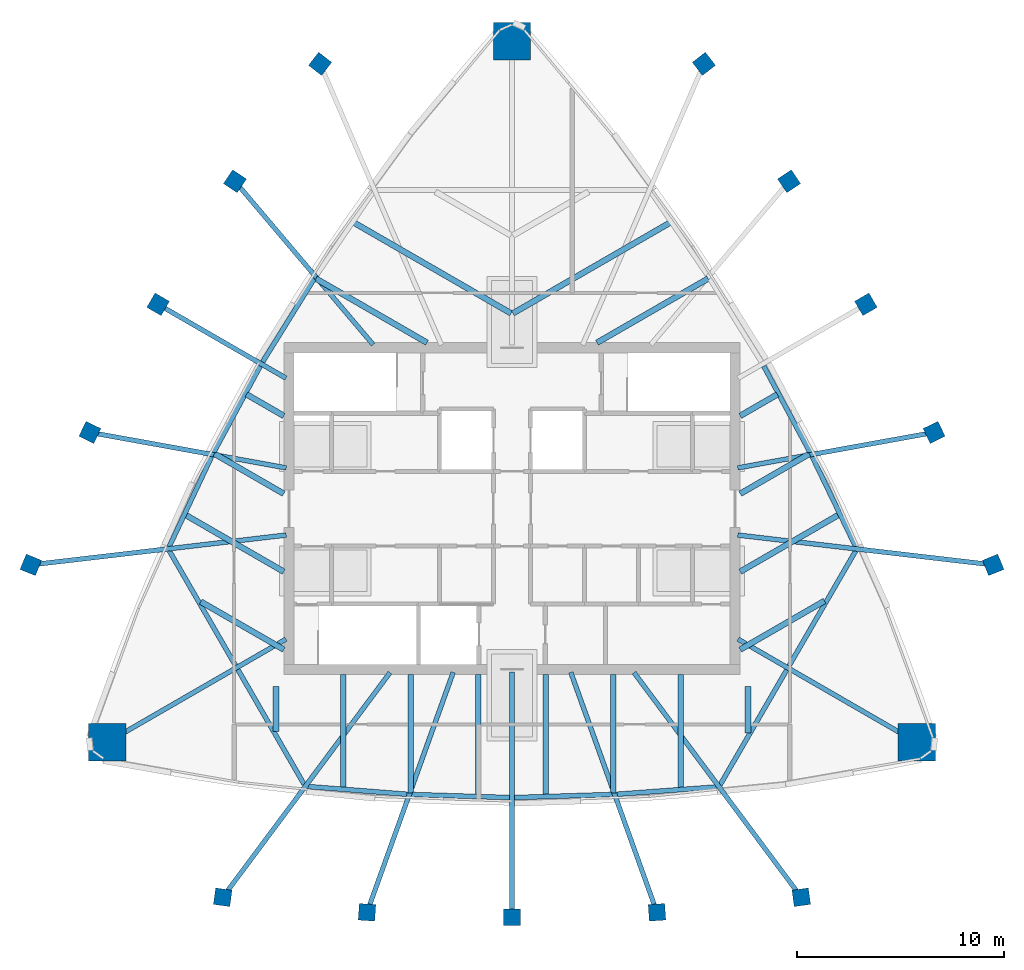
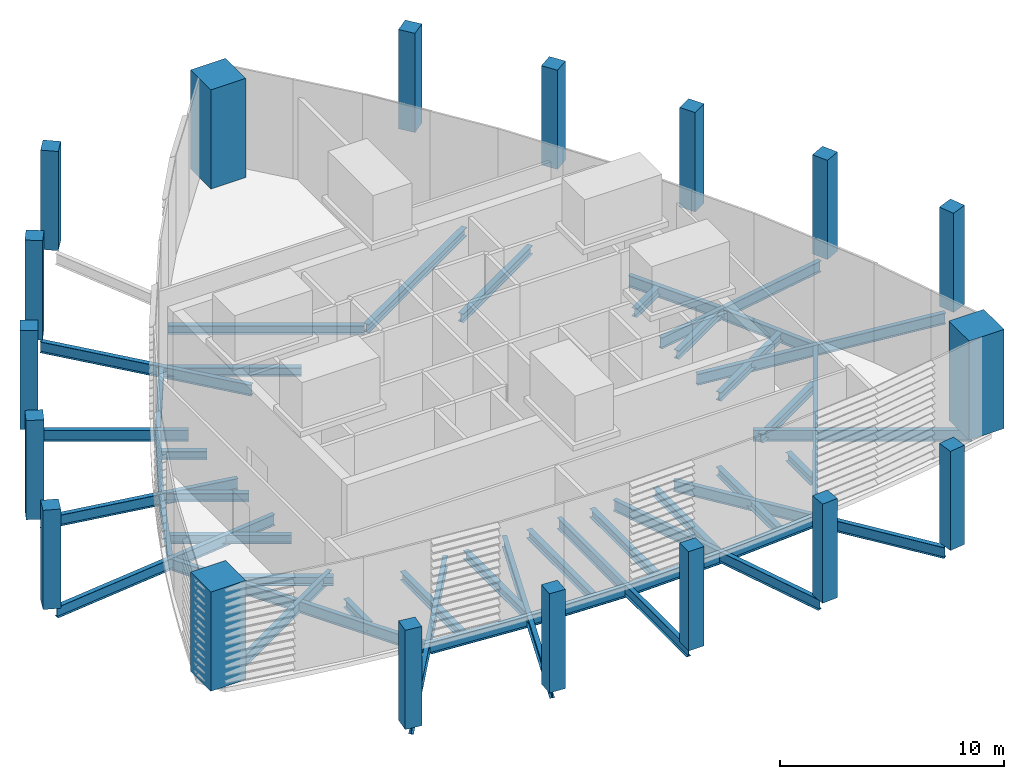
# One storey, part 1 of 8: 44 beams, 18 columns.
"""IFC4 building model written with IfcOpenShell, lengths in metres."""

from ifc_helpers import new_model, si_unit, direction, frame, origin, origin_2d, place, context, subcontext, project, spatial, rectangle, i_section, extrude, clip, halfspace, material, material_profile, profile_set, type_object, element, save


model = new_model("IFC4")

# Units and contexts
model_context = context("Model", 3, precision=1e-05, world=origin(), true_north=direction((0.0, 1.0)))
body_context = subcontext(model_context, "Body", "Model", "MODEL_VIEW")
ifc_project = project(units=[si_unit("LENGTHUNIT", "METRE"), si_unit("AREAUNIT", "SQUARE_METRE"), si_unit("VOLUMEUNIT", "CUBIC_METRE"), si_unit("PLANEANGLEUNIT", "RADIAN"), si_unit("MASSUNIT", "GRAM", prefix="KILO")], contexts=[model_context])

# Site, building, storey
site_placement = place(None, origin())
site = spatial("IfcSite", under=ifc_project, at=site_placement, CompositionType="ELEMENT")
building_placement = place(site_placement, origin())
building = spatial("IfcBuilding", under=site, at=building_placement, Name="Sierra Prisma Convention Tower", CompositionType="ELEMENT")
storey_placement = place(building_placement, frame((0.0, 0.0, 355.60009765625)))
storey = spatial("IfcBuildingStorey", under=building, at=storey_placement, Name="L79", CompositionType="ELEMENT", Elevation=355.60009765625)

# Columns
ifc_material_1 = material(Name="Concrete C50/60", Category="concrete")
ifc_material_profile_1 = material_profile(ifc_material_1, rectangle(XDim=1.800048828125, YDim=1.800048828125, at=origin_2d()), Name="Mega column RC 1800 C50/60")
ifc_profile_set_1 = profile_set([ifc_material_profile_1], Name="Concrete C50/60")
column_type_1 = type_object("IfcColumnType", Name="Mega column RC 1800 C50/60", PredefinedType="COLUMN", material=ifc_profile_set_1)
for number, where, z_axis, x_axis, name in (
    (1, (19.513671875, -11.266357421875, 0.0), (0.0, 0.0, 1.0), (1.0, 0.0, 0.0), "Mega column SE L79"),
    (2, (0.0, 22.532470703125, 0.0), (0.0, 0.0, 1.0), (1.0, 0.0, 0.0), "Mega column N L79"),
    (3, (-19.513671875, -11.266357421875, 0.0), (0.0, 0.0, 1.0), (1.0, 0.0, 0.0), "Mega column SW L79"),
):
    element("IfcColumn", number, at=place(storey_placement, frame(where, z_axis=z_axis, x_axis=x_axis)), inside=storey, type_object=column_type_1, Name=name, PredefinedType="COLUMN", context=body_context, shape_type="SweptSolid", body=[
        extrude(rectangle(XDim=1.800048828125, YDim=1.800048828125, at=origin_2d()), origin(), (0.0, 0.0, 1.0), 5.39990234375),
    ])
ifc_material_2 = material(Name="Concrete C50/60", Category="concrete")
ifc_material_profile_2 = material_profile(ifc_material_2, rectangle(XDim=0.800048828125, YDim=0.800048828125, at=origin_2d()), Name="Perimeter column RC 800 C50/60")
ifc_profile_set_2 = profile_set([ifc_material_profile_2], Name="Concrete C50/60")
column_type_2 = type_object("IfcColumnType", Name="Perimeter column RC 800 C50/60", PredefinedType="COLUMN", material=ifc_profile_set_2)
for number, where, z_axis, x_axis, name in (
    (4, (-13.944580078125, -18.733154296875, 0.0), (0.0, 0.0, 1.0), (-0.990429413919, 0.138020201583, 0.0), "Perimeter column S-1 L79"),
    (5, (-6.989013671875, -19.4580078125, 0.0), (0.0, 0.0, 1.0), (-0.997604544599, 0.069174941967, 0.0), "Perimeter column S-2 L79"),
    (6, (0.0, -19.699951171875, 0.0), (0.0, 0.0, 1.0), (1.0, 0.0, 0.0), "Perimeter column S-3 L79"),
    (7, (6.989013671875, -19.4580078125, 0.0), (0.0, 0.0, 1.0), (0.997604544599, 0.069174941967, 0.0), "Perimeter column S-4 L79"),
    (8, (13.944580078125, -18.733154296875, 0.0), (0.0, 0.0, 1.0), (0.990429413919, 0.138020201583, 0.0), "Perimeter column S-5 L79"),
    (9, (23.195556640625, -2.7099609375, 0.0), (0.0, 0.0, 1.0), (-0.375685706153, 0.9267471339, 0.0), "Perimeter column NE-1 L79"),
    (10, (20.345703125, 3.67626953125, 0.0), (0.0, 0.0, 1.0), (-0.438895015251, 0.898538349537, 0.0), "Perimeter column NE-2 L79"),
    (11, (17.060791015625, 9.85009765625, 0.0), (0.0, 0.0, 1.0), (-0.5, 0.866025403784, 0.0), "Perimeter column NE-3 L79"),
    (12, (13.356689453125, 15.78173828125, 0.0), (0.0, 0.0, 1.0), (-0.558709529348, 0.82936340757, 0.0), "Perimeter column NE-4 L79"),
    (13, (9.2509765625, 21.44287109375, 0.0), (0.0, 0.0, 1.0), (-0.614743707766, 0.788726932317, 0.0), "Perimeter column NE-5 L79"),
    (14, (-9.2509765625, 21.44287109375, 0.0), (0.0, 0.0, 1.0), (0.614743707766, 0.788726932317, 0.0), "Perimeter column NW-1 L79"),
    (15, (-13.356689453125, 15.78173828125, 0.0), (0.0, 0.0, 1.0), (0.558709529348, 0.82936340757, 0.0), "Perimeter column NW-2 L79"),
    (16, (-17.060791015625, 9.85009765625, 0.0), (0.0, 0.0, 1.0), (0.5, 0.866025403784, 0.0), "Perimeter column NW-3 L79"),
    (17, (-20.345703125, 3.67626953125, 0.0), (0.0, 0.0, 1.0), (0.438895015251, 0.898538349537, 0.0), "Perimeter column NW-4 L79"),
    (18, (-23.195556640625, -2.7099609375, 0.0), (0.0, 0.0, 1.0), (0.375685706153, 0.9267471339, 0.0), "Perimeter column NW-5 L79"),
):
    element("IfcColumn", number, at=place(storey_placement, frame(where, z_axis=z_axis, x_axis=x_axis)), inside=storey, type_object=column_type_2, Name=name, PredefinedType="COLUMN", context=body_context, shape_type="SweptSolid", body=[
        extrude(rectangle(XDim=0.800048828125, YDim=0.800048828125, at=origin_2d()), origin(), (0.0, 0.0, 1.0), 5.39990234375),
    ])

# Beams
ifc_material_3 = material(Name="Steel ASTM A992 Gr 50", Category="steel")
ifc_material_profile_3 = material_profile(ifc_material_3, i_section(OverallWidth=0.280029296875, OverallDepth=0.462890625, WebThickness=0.0107421875, FlangeThickness=0.017333984375, at=origin_2d()), Name="W460x113")
ifc_profile_set_3 = profile_set([ifc_material_profile_3], Name="Steel ASTM A992 Gr 50")
beam_type_1 = type_object("IfcBeamType", Name="Plant floor joist W460x113", PredefinedType="JOIST", material=ifc_profile_set_3)
beam_1_placement = place(storey_placement, frame((-11.383056640625, -10.747314453125, -0.481689453125), z_axis=(0.0, 1.0, 0.0), x_axis=(-1.0, 0.0, 0.0)))
element("IfcBeam", 19, at=beam_1_placement, inside=storey, type_object=beam_type_1, Name="Floor joist L79 S03", PredefinedType="JOIST", context=body_context, shape_type="SweptSolid", body=[
    extrude(i_section(OverallWidth=0.280029296875, OverallDepth=0.462890625, WebThickness=0.0107421875, FlangeThickness=0.017333984375, at=origin_2d()), origin(), (0.0, 0.0, 1.0), 2.1669921875),
])
beam_2_placement = place(storey_placement, frame((-8.130615234375, -13.46240234375, -0.481689453125), z_axis=(0.0, 1.0, 0.0), x_axis=(-1.0, 0.0, 0.0)))
element("IfcBeam", 20, at=beam_2_placement, inside=storey, type_object=beam_type_1, Name="Floor joist L79 S04", PredefinedType="JOIST", context=body_context, shape_type="SweptSolid", body=[
    extrude(i_section(OverallWidth=0.280029296875, OverallDepth=0.462890625, WebThickness=0.0107421875, FlangeThickness=0.017333984375, at=origin_2d()), origin(), (0.0, 0.0, 1.0), 5.46240234375),
])
beam_3_placement = place(storey_placement, frame((-4.87841796875, -13.712158203125, -0.481689453125), z_axis=(0.0, 1.0, 0.0), x_axis=(-1.0, 0.0, 0.0)))
element("IfcBeam", 21, at=beam_3_placement, inside=storey, type_object=beam_type_1, Name="Floor joist L79 S05", PredefinedType="JOIST", context=body_context, shape_type="SweptSolid", body=[
    extrude(i_section(OverallWidth=0.280029296875, OverallDepth=0.462890625, WebThickness=0.0107421875, FlangeThickness=0.017333984375, at=origin_2d()), origin(), (0.0, 0.0, 1.0), 5.712158203125),
])
for number, where, z_axis, x_axis, name in (
    (22, (-1.626220703125, -13.813720703125, -0.481689453125), (0.0, 1.0, 0.0), (-1.0, 0.0, 0.0), "Floor joist L79 S06"),
    (23, (1.626220703125, -13.813720703125, -0.481689453125), (0.0, 1.0, 0.0), (-1.0, 0.0, 0.0), "Floor joist L79 S07"),
):
    element("IfcBeam", number, at=place(storey_placement, frame(where, z_axis=z_axis, x_axis=x_axis)), inside=storey, type_object=beam_type_1, Name=name, PredefinedType="JOIST", context=body_context, shape_type="SweptSolid", body=[
        extrude(i_section(OverallWidth=0.280029296875, OverallDepth=0.462890625, WebThickness=0.0107421875, FlangeThickness=0.017333984375, at=origin_2d()), origin(), (0.0, 0.0, 1.0), 5.813720703125),
    ])
beam_4_placement = place(storey_placement, frame((4.87841796875, -13.712158203125, -0.481689453125), z_axis=(0.0, 1.0, 0.0), x_axis=(-1.0, 0.0, 0.0)))
element("IfcBeam", 24, at=beam_4_placement, inside=storey, type_object=beam_type_1, Name="Floor joist L79 S08", PredefinedType="JOIST", context=body_context, shape_type="SweptSolid", body=[
    extrude(i_section(OverallWidth=0.280029296875, OverallDepth=0.462890625, WebThickness=0.0107421875, FlangeThickness=0.017333984375, at=origin_2d()), origin(), (0.0, 0.0, 1.0), 5.712158203125),
])
beam_5_placement = place(storey_placement, frame((8.130615234375, -13.475830078125, -0.481689453125), z_axis=(0.0, 1.0, 0.0), x_axis=(-1.0, 0.0, 0.0)))
element("IfcBeam", 25, at=beam_5_placement, inside=storey, type_object=beam_type_1, Name="Floor joist L79 S09", PredefinedType="JOIST", context=body_context, shape_type="SweptSolid", body=[
    extrude(i_section(OverallWidth=0.280029296875, OverallDepth=0.462890625, WebThickness=0.0107421875, FlangeThickness=0.017333984375, at=origin_2d()), origin(), (0.0, 0.0, 1.0), 5.475830078125),
])
beam_6_placement = place(storey_placement, frame((11.383056640625, -10.802001953125, -0.481689453125), z_axis=(0.0, 1.0, 0.0), x_axis=(-1.0, 0.0, 0.0)))
element("IfcBeam", 26, at=beam_6_placement, inside=storey, type_object=beam_type_1, Name="Floor joist L79 S10", PredefinedType="JOIST", context=body_context, shape_type="SweptSolid", body=[
    extrude(i_section(OverallWidth=0.280029296875, OverallDepth=0.462890625, WebThickness=0.0107421875, FlangeThickness=0.017333984375, at=origin_2d()), origin(), (0.0, 0.0, 1.0), 2.2216796875),
])
beam_7_placement = place(storey_placement, frame((15.064697265625, -4.4462890625, -0.481689453125), z_axis=(-0.866009741255, -0.500027127316, 0.0), x_axis=(0.500027127316, -0.866009741255, 0.0)))
element("IfcBeam", 27, at=beam_7_placement, inside=storey, type_object=beam_type_1, Name="Floor joist L79 NE03", PredefinedType="JOIST", context=body_context, shape_type="SweptSolid", body=[
    extrude(i_section(OverallWidth=0.280029296875, OverallDepth=0.462890625, WebThickness=0.0107421875, FlangeThickness=0.017333984375, at=origin_2d()), origin(), (0.0, 0.0, 1.0), 4.693603515625),
])
beam_8_placement = place(storey_placement, frame((15.752197265625, -0.2939453125, -0.481689453125), z_axis=(-0.866027773222, -0.499995895991, 0.0), x_axis=(0.499995895991, -0.866027773222, 0.0)))
element("IfcBeam", 28, at=beam_8_placement, inside=storey, type_object=beam_type_1, Name="Floor joist L79 NE04", PredefinedType="JOIST", context=body_context, shape_type="SweptSolid", body=[
    extrude(i_section(OverallWidth=0.280029296875, OverallDepth=0.462890625, WebThickness=0.0107421875, FlangeThickness=0.017333984375, at=origin_2d()), origin(), (0.0, 0.0, 1.0), 5.4873046875),
])
beam_9_placement = place(storey_placement, frame((14.331787109375, 2.641357421875, -0.481689453125), z_axis=(-0.866028127555, -0.499995282261, 0.0), x_axis=(0.499995282261, -0.866028127555, 0.0)))
element("IfcBeam", 29, at=beam_9_placement, inside=storey, type_object=beam_type_1, Name="Floor joist L79 NE05", PredefinedType="JOIST", context=body_context, shape_type="SweptSolid", body=[
    extrude(i_section(OverallWidth=0.280029296875, OverallDepth=0.462890625, WebThickness=0.0107421875, FlangeThickness=0.017333984375, at=origin_2d()), origin(), (0.0, 0.0, 1.0), 3.84716796875),
])
beam_10_placement = place(storey_placement, frame((12.793701171875, 5.5087890625, -0.481689453125), z_axis=(-0.866014808974, -0.500018350302, 0.0), x_axis=(0.500018350302, -0.866014808974, 0.0)))
element("IfcBeam", 30, at=beam_10_placement, inside=storey, type_object=beam_type_1, Name="Floor joist L79 NE06", PredefinedType="JOIST", context=body_context, shape_type="SweptSolid", body=[
    extrude(i_section(OverallWidth=0.280029296875, OverallDepth=0.462890625, WebThickness=0.0107421875, FlangeThickness=0.017333984375, at=origin_2d()), origin(), (0.0, 0.0, 1.0), 2.0712890625),
])
beam_11_placement = place(storey_placement, frame((9.453857421875, 11.09130859375, -0.481689453125), z_axis=(-0.866023159588, -0.500003887042, 0.0), x_axis=(0.500003887042, -0.866023159588, 0.0)))
element("IfcBeam", 31, at=beam_11_placement, inside=storey, type_object=beam_type_1, Name="Floor joist L79 NE08", PredefinedType="JOIST", context=body_context, shape_type="SweptSolid", body=[
    extrude(i_section(OverallWidth=0.280029296875, OverallDepth=0.462890625, WebThickness=0.0107421875, FlangeThickness=0.017333984375, at=origin_2d()), origin(), (0.0, 0.0, 1.0), 6.1826171875),
])
for number, where, z_axis, x_axis, name in (
    (32, (7.62158203125, 13.788818359375, -0.481689453125), (-0.866022457571, -0.500005102957, 0.0), (0.500005102957, -0.866022457571, 0.0), "Floor joist L79 NE09"),
    (33, (-7.62158203125, 13.788818359375, -0.481689453125), (0.866022457571, -0.500005102957, 0.0), (0.500005102957, 0.866022457571, 0.0), "Floor joist L79 NW04"),
):
    element("IfcBeam", number, at=place(storey_placement, frame(where, z_axis=z_axis, x_axis=x_axis)), inside=storey, type_object=beam_type_1, Name=name, PredefinedType="JOIST", context=body_context, shape_type="SweptSolid", body=[
        extrude(i_section(OverallWidth=0.280029296875, OverallDepth=0.462890625, WebThickness=0.0107421875, FlangeThickness=0.017333984375, at=origin_2d()), origin(), (0.0, 0.0, 1.0), 8.748046875),
    ])
beam_12_placement = place(storey_placement, frame((-9.453857421875, 11.09130859375, -0.481689453125), z_axis=(0.866023159588, -0.500003887042, 0.0), x_axis=(0.500003887042, 0.866023159588, 0.0)))
element("IfcBeam", 34, at=beam_12_placement, inside=storey, type_object=beam_type_1, Name="Floor joist L79 NW05", PredefinedType="JOIST", context=body_context, shape_type="SweptSolid", body=[
    extrude(i_section(OverallWidth=0.280029296875, OverallDepth=0.462890625, WebThickness=0.0107421875, FlangeThickness=0.017333984375, at=origin_2d()), origin(), (0.0, 0.0, 1.0), 6.1826171875),
])
beam_13_placement = place(storey_placement, frame((-12.796630859375, 5.510498046875, -0.481689453125), z_axis=(0.866011167577, -0.500024657023, 0.0), x_axis=(0.500024657023, 0.866011167577, 0.0)))
element("IfcBeam", 35, at=beam_13_placement, inside=storey, type_object=beam_type_1, Name="Floor joist L79 NW07", PredefinedType="JOIST", context=body_context, shape_type="SweptSolid", body=[
    extrude(i_section(OverallWidth=0.280029296875, OverallDepth=0.462890625, WebThickness=0.0107421875, FlangeThickness=0.017333984375, at=origin_2d()), origin(), (0.0, 0.0, 1.0), 2.07470703125),
])
beam_14_placement = place(storey_placement, frame((-14.340576171875, 2.646484375, -0.481689453125), z_axis=(0.866022217343, -0.500005519039, 0.0), x_axis=(0.500005519039, 0.866022217343, 0.0)))
element("IfcBeam", 36, at=beam_14_placement, inside=storey, type_object=beam_type_1, Name="Floor joist L79 NW08", PredefinedType="JOIST", context=body_context, shape_type="SweptSolid", body=[
    extrude(i_section(OverallWidth=0.280029296875, OverallDepth=0.462890625, WebThickness=0.0107421875, FlangeThickness=0.017333984375, at=origin_2d()), origin(), (0.0, 0.0, 1.0), 3.857421875),
])
beam_15_placement = place(storey_placement, frame((-15.73388671875, -0.304443359375, -0.481689453125), z_axis=(0.866021955858, -0.500005971936, 0.0), x_axis=(0.500005971936, 0.866021955858, 0.0)))
element("IfcBeam", 37, at=beam_15_placement, inside=storey, type_object=beam_type_1, Name="Floor joist L79 NW09", PredefinedType="JOIST", context=body_context, shape_type="SweptSolid", body=[
    extrude(i_section(OverallWidth=0.280029296875, OverallDepth=0.462890625, WebThickness=0.0107421875, FlangeThickness=0.017333984375, at=origin_2d()), origin(), (0.0, 0.0, 1.0), 5.46630859375),
])
beam_16_placement = place(storey_placement, frame((-14.9990234375, -4.484375, -0.481689453125), z_axis=(0.866025344474, -0.500000102728, 0.0), x_axis=(0.500000102728, 0.866025344474, 0.0)))
element("IfcBeam", 38, at=beam_16_placement, inside=storey, type_object=beam_type_1, Name="Floor joist L79 NW10", PredefinedType="JOIST", context=body_context, shape_type="SweptSolid", body=[
    extrude(i_section(OverallWidth=0.280029296875, OverallDepth=0.462890625, WebThickness=0.0107421875, FlangeThickness=0.017333984375, at=origin_2d()), origin(), (0.0, 0.0, 1.0), 4.61767578125),
])
ifc_material_4 = material(Name="Steel ASTM A992 Gr 50", Category="steel")
ifc_material_profile_4 = material_profile(ifc_material_4, i_section(OverallWidth=0.22802734375, OverallDepth=0.60302734375, WebThickness=0.010498046875, FlangeThickness=0.014892578125, at=origin_2d()), Name="W610x101")
ifc_profile_set_4 = profile_set([ifc_material_profile_4], Name="Steel ASTM A992 Gr 50")
beam_type_2 = type_object("IfcBeamType", Name="Radial girder W610x101", PredefinedType="BEAM", material=ifc_profile_set_4)
beam_17_placement = place(storey_placement, frame((-19.333740234375, -11.162353515625, -0.551513671875), z_axis=(0.866023262497, 0.500003708801, 0.0), x_axis=(-0.500003708801, 0.866023262497, 0.0)))
element("IfcBeam", 39, at=beam_17_placement, inside=storey, type_object=beam_type_2, Name="Radial girder L79 MC-SW", PredefinedType="BEAM", context=body_context, shape_type="SweptSolid", body=[
    extrude(i_section(OverallWidth=0.22802734375, OverallDepth=0.60302734375, WebThickness=0.010498046875, FlangeThickness=0.014892578125, at=origin_2d()), origin(), (0.0, 0.0, 1.0), 9.7431640625),
])
beam_18_placement = place(storey_placement, frame((-13.743896484375, -18.46337890625, -0.551513671875), z_axis=(0.597111803332, 0.802158023286, 0.0), x_axis=(-0.802158023286, 0.597111803332, 0.0)))
element("IfcBeam", 40, at=beam_18_placement, inside=storey, type_object=beam_type_2, Name="Radial girder L79 PC-S-1", PredefinedType="BEAM", context=body_context, shape_type="SweptSolid", body=[
    extrude(i_section(OverallWidth=0.22802734375, OverallDepth=0.60302734375, WebThickness=0.010498046875, FlangeThickness=0.014892578125, at=origin_2d()), origin(), (0.0, 0.0, 1.0), 13.1640625),
])
beam_19_placement = place(storey_placement, frame((-6.88916015625, -19.1796875, -0.551513671875), z_axis=(0.338038517584, 0.941132275841, 0.0), x_axis=(-0.941132275841, 0.338038517584, 0.0)))
element("IfcBeam", 41, at=beam_19_placement, inside=storey, type_object=beam_type_2, Name="Radial girder L79 PC-S-2", PredefinedType="BEAM", context=body_context, shape_type="SweptSolid", body=[
    extrude(i_section(OverallWidth=0.22802734375, OverallDepth=0.60302734375, WebThickness=0.010498046875, FlangeThickness=0.014892578125, at=origin_2d()), origin(), (0.0, 0.0, 1.0), 11.9990234375),
])
beam_20_placement = place(storey_placement, frame((0.0, -19.419921875, -0.551513671875), z_axis=(0.0, 1.0, 0.0), x_axis=(-1.0, 0.0, 0.0)))
element("IfcBeam", 42, at=beam_20_placement, inside=storey, type_object=beam_type_2, Name="Radial girder L79 PC-S-3", PredefinedType="BEAM", context=body_context, shape_type="SweptSolid", body=[
    extrude(i_section(OverallWidth=0.22802734375, OverallDepth=0.60302734375, WebThickness=0.010498046875, FlangeThickness=0.014892578125, at=origin_2d()), origin(), (0.0, 0.0, 1.0), 11.5400390625),
])
beam_21_placement = place(storey_placement, frame((6.88916015625, -19.1796875, -0.551513671875), z_axis=(-0.338038517584, 0.941132275841, 0.0), x_axis=(-0.941132275841, -0.338038517584, 0.0)))
element("IfcBeam", 43, at=beam_21_placement, inside=storey, type_object=beam_type_2, Name="Radial girder L79 PC-S-4", PredefinedType="BEAM", context=body_context, shape_type="SweptSolid", body=[
    extrude(i_section(OverallWidth=0.22802734375, OverallDepth=0.60302734375, WebThickness=0.010498046875, FlangeThickness=0.014892578125, at=origin_2d()), origin(), (0.0, 0.0, 1.0), 11.9990234375),
])
beam_22_placement = place(storey_placement, frame((13.743896484375, -18.46337890625, -0.551513671875), z_axis=(-0.597111803332, 0.802158023286, 0.0), x_axis=(-0.802158023286, -0.597111803332, 0.0)))
element("IfcBeam", 44, at=beam_22_placement, inside=storey, type_object=beam_type_2, Name="Radial girder L79 PC-S-5", PredefinedType="BEAM", context=body_context, shape_type="SweptSolid", body=[
    extrude(i_section(OverallWidth=0.22802734375, OverallDepth=0.60302734375, WebThickness=0.010498046875, FlangeThickness=0.014892578125, at=origin_2d()), origin(), (0.0, 0.0, 1.0), 13.1640625),
])
beam_23_placement = place(storey_placement, frame((19.333740234375, -11.162353515625, -0.551513671875), z_axis=(-0.866023262497, 0.500003708801, 0.0), x_axis=(-0.500003708801, -0.866023262497, 0.0)))
element("IfcBeam", 45, at=beam_23_placement, inside=storey, type_object=beam_type_2, Name="Radial girder L79 MC-SE", PredefinedType="BEAM", context=body_context, shape_type="SweptSolid", body=[
    extrude(i_section(OverallWidth=0.22802734375, OverallDepth=0.60302734375, WebThickness=0.010498046875, FlangeThickness=0.014892578125, at=origin_2d()), origin(), (0.0, 0.0, 1.0), 9.7431640625),
])
beam_24_placement = place(storey_placement, frame((22.86181640625, -2.6708984375, -0.551513671875), z_axis=(-0.993245189305, 0.116034451446, 0.0), x_axis=(-0.116034451446, -0.993245189305, 0.0)))
element("IfcBeam", 46, at=beam_24_placement, inside=storey, type_object=beam_type_2, Name="Radial girder L79 PC-NE-1", PredefinedType="BEAM", context=body_context, shape_type="SweptSolid", body=[
    extrude(i_section(OverallWidth=0.22802734375, OverallDepth=0.60302734375, WebThickness=0.010498046875, FlangeThickness=0.014892578125, at=origin_2d()), origin(), (0.0, 0.0, 1.0), 12.0625),
])
beam_25_placement = place(storey_placement, frame((20.0546875, 3.623779296875, -0.551513671875), z_axis=(-0.984064190553, -0.177813578986, 0.0), x_axis=(0.177813578986, -0.984064190553, 0.0)))
element("IfcBeam", 47, at=beam_25_placement, inside=storey, type_object=beam_type_2, Name="Radial girder L79 PC-NE-2", PredefinedType="BEAM", context=body_context, shape_type="SweptSolid", body=[
    extrude(i_section(OverallWidth=0.22802734375, OverallDepth=0.60302734375, WebThickness=0.010498046875, FlangeThickness=0.014892578125, at=origin_2d()), origin(), (0.0, 0.0, 1.0), 9.3212890625),
])
beam_26_placement = place(storey_placement, frame((-13.16552734375, 15.555908203125, -0.551513671875), z_axis=(0.646028534804, -0.76331325956, 0.0), x_axis=(0.76331325956, 0.646028534804, 0.0)))
element("IfcBeam", 48, at=beam_26_placement, inside=storey, type_object=beam_type_2, Name="Radial girder L79 PC-NW-2", PredefinedType="BEAM", context=body_context, shape_type="SweptSolid", body=[
    extrude(i_section(OverallWidth=0.22802734375, OverallDepth=0.60302734375, WebThickness=0.010498046875, FlangeThickness=0.014892578125, at=origin_2d()), origin(), (0.0, 0.0, 1.0), 10.018798828125),
])
beam_27_placement = place(storey_placement, frame((-16.818115234375, 9.7099609375, -0.551513671875), z_axis=(0.866022087412, -0.500005744082, 0.0), x_axis=(0.500005744082, 0.866022087412, 0.0)))
element("IfcBeam", 49, at=beam_27_placement, inside=storey, type_object=beam_type_2, Name="Radial girder L79 PC-NW-3", PredefinedType="BEAM", context=body_context, shape_type="SweptSolid", body=[
    extrude(i_section(OverallWidth=0.22802734375, OverallDepth=0.60302734375, WebThickness=0.010498046875, FlangeThickness=0.014892578125, at=origin_2d()), origin(), (0.0, 0.0, 1.0), 6.83837890625),
])
beam_28_placement = place(storey_placement, frame((-20.0546875, 3.623779296875, -0.551513671875), z_axis=(0.984064190553, -0.177813578986, 0.0), x_axis=(0.177813578986, 0.984064190553, 0.0)))
element("IfcBeam", 50, at=beam_28_placement, inside=storey, type_object=beam_type_2, Name="Radial girder L79 PC-NW-4", PredefinedType="BEAM", context=body_context, shape_type="SweptSolid", body=[
    extrude(i_section(OverallWidth=0.22802734375, OverallDepth=0.60302734375, WebThickness=0.010498046875, FlangeThickness=0.014892578125, at=origin_2d()), origin(), (0.0, 0.0, 1.0), 9.3212890625),
])
beam_29_placement = place(storey_placement, frame((-22.86181640625, -2.6708984375, -0.551513671875), z_axis=(0.993245189305, 0.116034451446, 0.0), x_axis=(-0.116034451446, 0.993245189305, 0.0)))
element("IfcBeam", 51, at=beam_29_placement, inside=storey, type_object=beam_type_2, Name="Radial girder L79 PC-NW-5", PredefinedType="BEAM", context=body_context, shape_type="SweptSolid", body=[
    extrude(i_section(OverallWidth=0.22802734375, OverallDepth=0.60302734375, WebThickness=0.010498046875, FlangeThickness=0.014892578125, at=origin_2d()), origin(), (0.0, 0.0, 1.0), 12.0625),
])
ifc_material_5 = material(Name="Steel ASTM A992 Gr 50", Category="steel")
ifc_material_profile_5 = material_profile(ifc_material_5, i_section(OverallWidth=0.22998046875, OverallDepth=0.616943359375, WebThickness=0.01318359375, FlangeThickness=0.022216796875, at=origin_2d()), Name="W610x140")
ifc_profile_set_5 = profile_set([ifc_material_profile_5], Name="Steel ASTM A992 Gr 50")
beam_type_3 = type_object("IfcBeamType", Name="Spandrel beam W610x140", PredefinedType="BEAM", material=ifc_profile_set_5)
beam_30_placement = place(storey_placement, frame((-16.516845703125, -2.03515625, -0.55859375), z_axis=(0.499997362234, -0.866026926694, 0.0), x_axis=(0.866026926694, 0.499997362234, 0.0)))
element("IfcBeam", 52, at=beam_30_placement, inside=storey, type_object=beam_type_3, Name="Crown edge beam L79-01", PredefinedType="BEAM", context=body_context, shape_type="SweptSolid", body=[
    clip(clip(extrude(i_section(OverallWidth=0.22998046875, OverallDepth=0.616943359375, WebThickness=0.01318359375, FlangeThickness=0.022216796875, at=origin_2d()), origin(), (0.0, 0.0, 1.0), 12.99169921875), halfspace(frame((-0.045166015625, 0.0, -0.009521484375), z_axis=(-0.396126831769, 0.0, 0.918195803276), x_axis=(0.918195803276, 0.0, 0.396126831769)), True)), halfspace(frame((-0.04541015625, 0.0, 13.00146484375), z_axis=(-0.396132273104, 0.0, -0.918193455763), x_axis=(0.918193455763, 0.0, -0.396132273104)), True)),
])
beam_31_placement = place(storey_placement, frame((-9.839599609375, -13.39501953125, -0.55859375), z_axis=(0.996993113599, -0.077490202195, 0.0), x_axis=(0.077490202195, 0.996993113599, 0.0)))
element("IfcBeam", 53, at=beam_31_placement, inside=storey, type_object=beam_type_3, Name="Crown edge beam L79-02", PredefinedType="BEAM", context=body_context, shape_type="SweptSolid", body=[
    clip(clip(extrude(i_section(OverallWidth=0.22998046875, OverallDepth=0.616943359375, WebThickness=0.01318359375, FlangeThickness=0.022216796875, at=origin_2d()), origin(), (0.0, 0.0, 1.0), 4.79833984375), halfspace(frame((-0.060791015625, 0.0, -0.028076171875), z_axis=(-0.533160513978, 0.0, 0.846014105281), x_axis=(0.846014105281, 0.0, 0.533160513978)), True)), halfspace(frame((0.0302734375, 0.0, 4.79638671875), z_axis=(0.264098867217, 0.0, -0.964495613435), x_axis=(0.964495613435, 0.0, 0.264098867217)), True)),
])
beam_32_placement = place(storey_placement, frame((-4.838134765625, -13.778564453125, -0.55859375), z_axis=(0.999513633771, -0.03118486661, 0.0), x_axis=(0.03118486661, 0.999513633771, 0.0)))
element("IfcBeam", 54, at=beam_32_placement, inside=storey, type_object=beam_type_3, Name="Crown edge beam L79-03", PredefinedType="BEAM", context=body_context, shape_type="SweptSolid", body=[
    clip(clip(extrude(i_section(OverallWidth=0.22998046875, OverallDepth=0.616943359375, WebThickness=0.01318359375, FlangeThickness=0.022216796875, at=origin_2d()), origin(), (0.0, 0.0, 1.0), 4.736328125), halfspace(frame((-0.03515625, 0.0, -0.00146484375), z_axis=(-0.30853027268, 0.0, 0.95121452409), x_axis=(0.95121452409, 0.0, 0.30853027268)), True)), halfspace(frame((-0.00341796875, 0.0, 4.7265625), z_axis=(-0.03118486661, 0.0, -0.999513633771), x_axis=(0.999513633771, 0.0, -0.03118486661)), True)),
])
beam_33_placement = place(storey_placement, frame((0.10400390625, -13.92626953125, -0.55859375), z_axis=(0.999513633771, 0.03118486661, 0.0), x_axis=(-0.03118486661, 0.999513633771, 0.0)))
element("IfcBeam", 55, at=beam_33_placement, inside=storey, type_object=beam_type_3, Name="Crown edge beam L79-04", PredefinedType="BEAM", context=body_context, shape_type="SweptSolid", body=[
    clip(clip(extrude(i_section(OverallWidth=0.22998046875, OverallDepth=0.616943359375, WebThickness=0.01318359375, FlangeThickness=0.022216796875, at=origin_2d()), origin(), (0.0, 0.0, 1.0), 4.736328125), halfspace(frame((-0.00341796875, 0.0, 0.010009765625), z_axis=(-0.03118486661, 0.0, 0.999513633771), x_axis=(0.999513633771, 0.0, 0.03118486661)), True)), halfspace(frame((-0.03515625, 0.0, 4.73779296875), z_axis=(-0.30853027268, 0.0, -0.95121452409), x_axis=(0.95121452409, 0.0, -0.30853027268)), True)),
])
beam_34_placement = place(storey_placement, frame((5.055908203125, -13.76708984375, -0.55859375), z_axis=(0.997311607965, 0.073277258531, 0.0), x_axis=(-0.073277258531, 0.997311607965, 0.0)))
element("IfcBeam", 56, at=beam_34_placement, inside=storey, type_object=beam_type_3, Name="Crown edge beam L79-05", PredefinedType="BEAM", context=body_context, shape_type="SweptSolid", body=[
    clip(clip(extrude(i_section(OverallWidth=0.22998046875, OverallDepth=0.616943359375, WebThickness=0.01318359375, FlangeThickness=0.022216796875, at=origin_2d()), origin(), (0.0, 0.0, 1.0), 4.81103515625), halfspace(frame((0.030517578125, 0.0, 0.00146484375), z_axis=(0.268171461633, 0.0, 0.963371199053), x_axis=(0.963371199053, 0.0, -0.268171461633)), True)), halfspace(frame((-0.06103515625, 0.0, 4.840087890625), z_axis=(-0.536730127814, 0.0, -0.843753974744), x_axis=(0.843753974744, 0.0, -0.536730127814)), True)),
])
beam_35_placement = place(storey_placement, frame((10.035888671875, -13.306640625, -0.55859375), z_axis=(0.501273519433, 0.865288887433, 0.0), x_axis=(-0.865288887433, 0.501273519433, 0.0)))
element("IfcBeam", 57, at=beam_35_placement, inside=storey, type_object=beam_type_3, Name="Crown edge beam L79-06", PredefinedType="BEAM", context=body_context, shape_type="SweptSolid", body=[
    clip(clip(extrude(i_section(OverallWidth=0.22998046875, OverallDepth=0.616943359375, WebThickness=0.01318359375, FlangeThickness=0.022216796875, at=origin_2d()), origin(), (0.0, 0.0, 1.0), 13.02001953125), halfspace(frame((-0.045166015625, 0.0, -0.00927734375), z_axis=(-0.39477823802, 0.0, 0.91877643787), x_axis=(0.91877643787, 0.0, 0.39477823802)), True)), halfspace(frame((-0.04541015625, 0.0, 13.02978515625), z_axis=(-0.397480009414, 0.0, -0.917610833696), x_axis=(0.917610833696, 0.0, -0.397480009414)), True)),
])
beam_36_placement = place(storey_placement, frame((16.5654296875, -1.8291015625, -0.55859375), z_axis=(-0.434722134841, 0.900564637036, 0.0), x_axis=(-0.900564637036, -0.434722134841, 0.0)))
element("IfcBeam", 58, at=beam_36_placement, inside=storey, type_object=beam_type_3, Name="Crown edge beam L79-07", PredefinedType="BEAM", context=body_context, shape_type="SweptSolid", body=[
    clip(clip(extrude(i_section(OverallWidth=0.22998046875, OverallDepth=0.616943359375, WebThickness=0.01318359375, FlangeThickness=0.022216796875, at=origin_2d()), origin(), (0.0, 0.0, 1.0), 4.81689453125), halfspace(frame((-0.061279296875, 0.0, -0.02880859375), z_axis=(-0.536286038442, 0.0, 0.844036305482), x_axis=(0.844036305482, 0.0, 0.536286038442)), True)), halfspace(frame((0.030517578125, 0.0, 4.8154296875), z_axis=(0.267662272813, 0.0, -0.963512795822), x_axis=(0.963512795822, 0.0, 0.267662272813)), True)),
])
beam_37_placement = place(storey_placement, frame((14.37255859375, 2.703125, -0.55859375), z_axis=(-0.472721210919, 0.881212038471, 0.0), x_axis=(-0.881212038471, -0.472721210919, 0.0)))
element("IfcBeam", 59, at=beam_37_placement, inside=storey, type_object=beam_type_3, Name="Crown edge beam L79-08", PredefinedType="BEAM", context=body_context, shape_type="SweptSolid", body=[
    clip(clip(extrude(i_section(OverallWidth=0.22998046875, OverallDepth=0.616943359375, WebThickness=0.01318359375, FlangeThickness=0.022216796875, at=origin_2d()), origin(), (0.0, 0.0, 1.0), 4.74365234375), halfspace(frame((-0.034912109375, 0.0, -0.001220703125), z_axis=(-0.308496952462, 0.0, 0.951225330992), x_axis=(0.951225330992, 0.0, 0.308496952462)), True)), halfspace(frame((-0.00341796875, 0.0, 4.733642578125), z_axis=(-0.031217453219, 0.0, -0.999512616536), x_axis=(0.999512616536, 0.0, -0.031217453219)), True)),
])
beam_38_placement = place(storey_placement, frame((-9.527587890625, 11.095703125, -0.55859375), z_axis=(-0.526719564314, -0.850039117082, 0.0), x_axis=(0.850039117082, -0.526719564314, 0.0)))
element("IfcBeam", 60, at=beam_38_placement, inside=storey, type_object=beam_type_3, Name="Crown edge beam L79-13", PredefinedType="BEAM", context=body_context, shape_type="SweptSolid", body=[
    clip(clip(extrude(i_section(OverallWidth=0.22998046875, OverallDepth=0.616943359375, WebThickness=0.01318359375, FlangeThickness=0.022216796875, at=origin_2d()), origin(), (0.0, 0.0, 1.0), 4.74365234375), halfspace(frame((-0.03515625, 0.0, -0.00146484375), z_axis=(-0.3085775596, 0.0, 0.951199185088), x_axis=(0.951199185088, 0.0, 0.3085775596)), True)), halfspace(frame((-0.00341796875, 0.0, 4.733642578125), z_axis=(-0.031132953279, 0.0, -0.99951525212), x_axis=(0.99951525212, 0.0, -0.031132953279)), True)),
])
beam_39_placement = place(storey_placement, frame((-12.13037109375, 6.88330078125, -0.55859375), z_axis=(-0.474529168945, -0.880239778595, 0.0), x_axis=(0.880239778595, -0.474529168945, 0.0)))
element("IfcBeam", 61, at=beam_39_placement, inside=storey, type_object=beam_type_3, Name="Crown edge beam L79-14", PredefinedType="BEAM", context=body_context, shape_type="SweptSolid", body=[
    clip(clip(extrude(i_section(OverallWidth=0.22998046875, OverallDepth=0.616943359375, WebThickness=0.01318359375, FlangeThickness=0.022216796875, at=origin_2d()), origin(), (0.0, 0.0, 1.0), 4.74658203125), halfspace(frame((-0.00341796875, 0.0, 0.009765625), z_axis=(-0.029165585702, 0.0, 0.99957459382), x_axis=(0.99957459382, 0.0, 0.029165585702)), True)), halfspace(frame((-0.035400390625, 0.0, 4.748291015625), z_axis=(-0.310448979952, 0.0, -0.950590043524), x_axis=(0.950590043524, 0.0, -0.310448979952)), True)),
])
beam_40_placement = place(storey_placement, frame((-14.48095703125, 2.510498046875, -0.55859375), z_axis=(-0.425846121798, -0.904795601531, 0.0), x_axis=(0.904795601531, -0.425846121798, 0.0)))
element("IfcBeam", 62, at=beam_40_placement, inside=storey, type_object=beam_type_3, Name="Crown edge beam L79-15", PredefinedType="BEAM", context=body_context, shape_type="SweptSolid", body=[
    clip(clip(extrude(i_section(OverallWidth=0.22998046875, OverallDepth=0.616943359375, WebThickness=0.01318359375, FlangeThickness=0.022216796875, at=origin_2d()), origin(), (0.0, 0.0, 1.0), 4.79052734375), halfspace(frame((0.029296875, 0.0, 0.002197265625), z_axis=(0.258175384378, 0.0, 0.966098064847), x_axis=(0.966098064847, 0.0, -0.258175384378)), True)), halfspace(frame((-0.060302734375, 0.0, 4.81787109375), z_axis=(-0.527960942671, 0.0, -0.84926865185), x_axis=(0.84926865185, 0.0, -0.527960942671)), True)),
])

save(model, "model.ifc")
